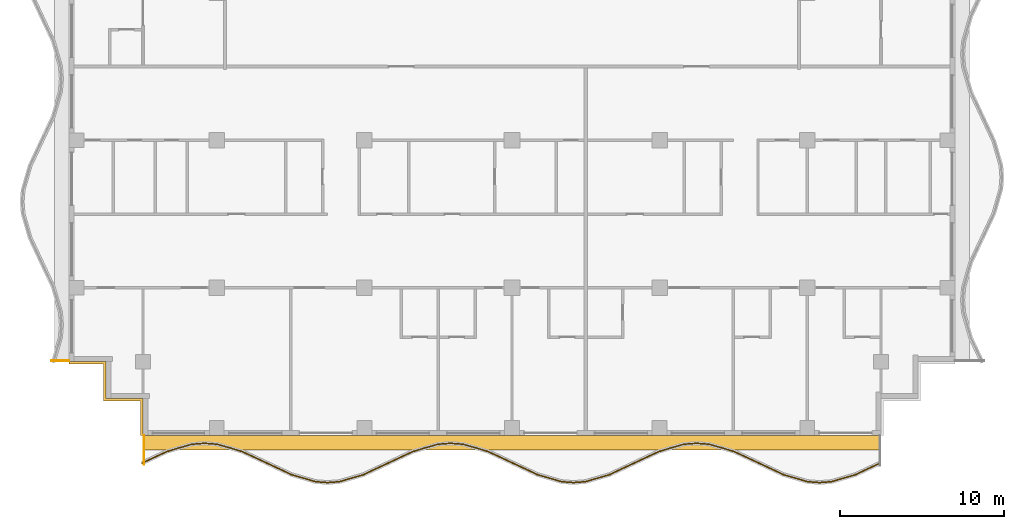
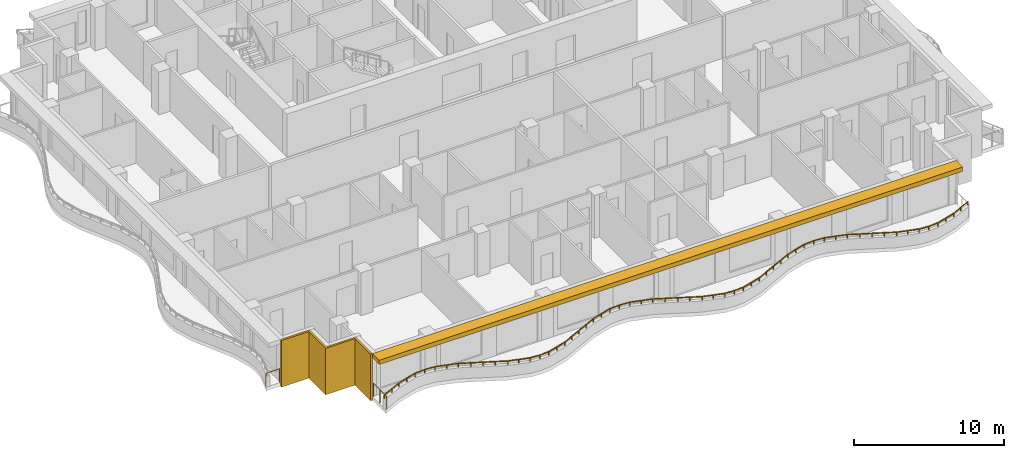
# One storey, part 8 of 11: 3 railings, 2 shading devices.
"""IFC4 building model written with IfcOpenShell, lengths in metres."""

import ifcopenshell
import ifcopenshell.guid

model = None  # the IFC model being written
_history = None  # IfcOwnerHistory: only IFC2X3 demands one
_inside = {}  # id of a spatial element -> (the spatial element, [elements in it])
_under = {}  # id of a project, library or spatial element -> (it, [spatial elements below it])
_declared = {}  # id of a project -> (the project, [libraries it declares])
_typed = {}  # id of a type object -> (the type object, [elements of that type])
_made_of = {}  # id of a material, layer set ... -> (it, [elements and type objects made of it])


def new_model(schema):
    """Start an empty IFC model of exactly this schema.

    Asked for "IFC4X3", IfcOpenShell would pick the latest addendum, in which some entities
    have other attributes; the version numbers below select the first issue.
    IFC2X3 requires an IfcOwnerHistory on every rooted entity: one is made here for all.
    """
    global model, _history
    if schema == "IFC4X3":
        model = ifcopenshell.file(schema_version=(4, 3, 0, 0))
    else:
        model = ifcopenshell.file(schema=schema)
    _inside.clear()
    _under.clear()
    _declared.clear()
    _typed.clear()
    _made_of.clear()
    _history = None
    if model.schema == "IFC2X3":
        org = make("IfcOrganization", Name="unknown")
        user = make(
            "IfcPersonAndOrganization",
            ThePerson=make("IfcPerson", FamilyName="unknown"),
            TheOrganization=org,
        )
        app = make(
            "IfcApplication",
            ApplicationDeveloper=org,
            Version="unknown",
            ApplicationFullName="unknown",
            ApplicationIdentifier="unknown",
        )
        _history = make(
            "IfcOwnerHistory",
            OwningUser=user,
            OwningApplication=app,
            ChangeAction="ADDED",
            CreationDate=0,
        )
    return model


def make(cls, **values):
    """One entity of the class cls with the attributes given. An attribute that is None is left unset."""
    return model.create_entity(
        cls, **{name: value for name, value in values.items() if value is not None}
    )


def rooted(cls, **values):
    """An entity with a GlobalId (a new one), such as an element, a storey or a relation."""
    return make(cls, GlobalId=ifcopenshell.guid.new(), OwnerHistory=_history, **values)


def si_unit(unit_type, name, prefix=None):
    """IfcSIUnit, for example si_unit("LENGTHUNIT", "METRE", prefix="MILLI")."""
    return make("IfcSIUnit", UnitType=unit_type, Prefix=prefix, Name=name)


def assignment(units):
    """IfcUnitAssignment: the units of a project."""
    return None if units is None else make("IfcUnitAssignment", Units=units)


def point(xyz):
    """IfcCartesianPoint."""
    return None if xyz is None else make("IfcCartesianPoint", Coordinates=xyz)


def direction(xyz):
    """IfcDirection."""
    return None if xyz is None else make("IfcDirection", DirectionRatios=xyz)


def frame(location, z_axis=None, x_axis=None):
    """IfcAxis2Placement3D, a coordinate frame: its origin and axes. An axis left out is left unset."""
    return make(
        "IfcAxis2Placement3D",
        Location=point(location),
        Axis=direction(z_axis),
        RefDirection=direction(x_axis),
    )


def frame_2d(location, x_axis=None):
    """IfcAxis2Placement2D, a coordinate frame in the plane: its origin and x axis."""
    return make(
        "IfcAxis2Placement2D", Location=point(location), RefDirection=direction(x_axis)
    )


def origin():
    """The frame at (0, 0, 0) with its axes left unset."""
    return frame((0.0, 0.0, 0.0))


def origin_2d():
    """The frame at (0, 0) in the plane with its x axis left unset."""
    return frame_2d((0.0, 0.0))


def place(relative_to, where):
    """IfcLocalPlacement: puts the frame where relative to a parent placement (None: the world)."""
    return make(
        "IfcLocalPlacement", PlacementRelTo=relative_to, RelativePlacement=where
    )


def context(
    kind, dimensions, precision=None, world=None, true_north=None, identifier=None
):
    """IfcGeometricRepresentationContext, for example the 3D "Model" context."""
    return make(
        "IfcGeometricRepresentationContext",
        ContextIdentifier=identifier,
        ContextType=kind,
        CoordinateSpaceDimension=dimensions,
        Precision=precision,
        WorldCoordinateSystem=world,
        TrueNorth=true_north,
    )


def subcontext(parent, identifier, kind, view, scale=None):
    """IfcGeometricRepresentationSubContext, for example "Body" below "Model"."""
    return make(
        "IfcGeometricRepresentationSubContext",
        ContextIdentifier=identifier,
        ContextType=kind,
        ParentContext=parent,
        TargetScale=scale,
        TargetView=view,
    )


def project(units=None, contexts=None):
    """IfcProject with its units and contexts."""
    return rooted(
        "IfcProject",
        Name="project",
        RepresentationContexts=contexts,
        UnitsInContext=assignment(units),
    )


def spatial(cls, under=None, at=None, **own):
    """A site, building, storey or space (cls), placed at a placement, below another one or the project."""
    s = rooted(cls, ObjectPlacement=at, **own)
    if under is not None:
        _under.setdefault(under.id(), (under, []))[1].append(s)
    return s


def polyline(points):
    """IfcPolyline through the points."""
    return make("IfcPolyline", Points=[point(p) for p in points])


def profile(cls, at=None, kind="AREA", **sizes):
    """A parametric profile (cls). Its sizes go by their IFC names, for example OverallWidth=200.0."""
    return make(cls, ProfileType=kind, Position=at, **sizes)


def rectangle(**sizes):
    """IfcRectangleProfileDef."""
    return profile("IfcRectangleProfileDef", **sizes)


def outline(outer, holes=None, kind="AREA"):
    """IfcArbitraryClosedProfileDef: a profile drawn as a closed curve; with holes, ...WithVoids."""
    if holes is None:
        return make("IfcArbitraryClosedProfileDef", ProfileType=kind, OuterCurve=outer)
    return make(
        "IfcArbitraryProfileDefWithVoids",
        ProfileType=kind,
        OuterCurve=outer,
        InnerCurves=holes,
    )


def extrude(swept, where, along, depth):
    """IfcExtrudedAreaSolid: the profile swept, set in the frame where, extruded along a direction by depth."""
    return make(
        "IfcExtrudedAreaSolid",
        SweptArea=swept,
        Position=where,
        ExtrudedDirection=direction(along),
        Depth=depth,
    )


def shape(context_of_items, identifier, shape_type, items):
    """IfcShapeRepresentation: the items that make up one representation, for example the "Body"."""
    return make(
        "IfcShapeRepresentation",
        ContextOfItems=context_of_items,
        RepresentationIdentifier=identifier,
        RepresentationType=shape_type,
        Items=items,
    )


def material(Name=None, Category=None):
    """IfcMaterial."""
    return make("IfcMaterial", Name=Name, Category=Category)


def layer(
    of_material, thickness, ventilated=None, Name=None, Category=None, Priority=None
):
    """IfcMaterialLayer: one layer of a wall or slab, of a material (None: an air gap)."""
    return make(
        "IfcMaterialLayer",
        Material=of_material,
        LayerThickness=thickness,
        IsVentilated=ventilated,
        Name=Name,
        Category=Category,
        Priority=Priority,
    )


def layer_set(layers, Name=None):
    """IfcMaterialLayerSet."""
    return make("IfcMaterialLayerSet", MaterialLayers=layers, LayerSetName=Name)


def made_of(thing, what):
    """Note that an element or type object is made of a material, layer set ...; save() writes the relation."""
    if what is not None:
        _made_of.setdefault(what.id(), (what, []))[1].append(thing)
    return thing


def type_object(cls, material=None, **own):
    """A type object (cls), such as IfcWallType, which elements share."""
    return made_of(rooted(cls, **own), material)


def element(
    cls,
    number,
    at=None,
    inside=None,
    cuts=None,
    type_object=None,
    material=None,
    context=None,
    identifier="Body",
    shape_type=None,
    held_by="IfcProductDefinitionShape",
    body=None,
    shapes=None,
    **own,
):
    """One element of the class cls, such as IfcWall. Its Tag is "e" and its number.

    at: its placement. inside: the storey or other place that contains it. cuts: it is an
    opening in that element (IfcRelVoidsElement). A single representation is given by context,
    identifier, shape_type and body (its items); several are given by shapes. held_by: the class
    of the entity that holds the representations. save() writes the other relations.
    """
    e = rooted(cls, Tag="e%d" % number, ObjectPlacement=at, **own)
    if body is not None:
        shapes = [shape(context, identifier, shape_type, body)]
    if shapes is not None:
        e.Representation = make(held_by, Representations=shapes)
    if inside is not None:
        _inside.setdefault(inside.id(), (inside, []))[1].append(e)
    if cuts is not None:
        rooted(
            "IfcRelVoidsElement", RelatingBuildingElement=cuts, RelatedOpeningElement=e
        )
    if type_object is not None:
        _typed.setdefault(type_object.id(), (type_object, []))[1].append(e)
    return made_of(e, material)


def aggregate(whole, parts):
    """IfcRelAggregates: a whole, such as a stair, and the parts it consists of."""
    return rooted("IfcRelAggregates", RelatingObject=whole, RelatedObjects=parts)


def save(model, path):
    """Write the relations noted so far, then the file.

    IfcRelAggregates (storeys below a building ...), IfcRelContainedInSpatialStructure (elements
    in a storey), IfcRelDefinesByType, IfcRelAssociatesMaterial and IfcRelDeclares: one each for
    every whole, place, type object, material and project.
    """
    for whole, parts in _under.values():
        aggregate(whole, parts)
    for where, things in _inside.values():
        rooted(
            "IfcRelContainedInSpatialStructure",
            RelatedElements=things,
            RelatingStructure=where,
        )
    for kind, things in _typed.values():
        rooted("IfcRelDefinesByType", RelatedObjects=things, RelatingType=kind)
    for what, things in _made_of.values():
        rooted("IfcRelAssociatesMaterial", RelatedObjects=things, RelatingMaterial=what)
    for by, libraries in _declared.values():
        rooted("IfcRelDeclares", RelatingContext=by, RelatedDefinitions=libraries)
    model.write(path)


model = new_model("IFC4")

# Units and contexts
model_context = context("Model", 3, precision=1e-05, world=origin(), true_north=direction((0.0, 1.0)))
body_context = subcontext(model_context, "Body", "Model", "MODEL_VIEW")
ifc_project = project(units=[si_unit("LENGTHUNIT", "METRE"), si_unit("AREAUNIT", "SQUARE_METRE"), si_unit("VOLUMEUNIT", "CUBIC_METRE"), si_unit("PLANEANGLEUNIT", "RADIAN"), si_unit("MASSUNIT", "GRAM", prefix="KILO")], contexts=[model_context])

# Site, building, storey
site_placement = place(None, origin())
site = spatial("IfcSite", under=ifc_project, at=site_placement, CompositionType="ELEMENT")
building_placement = place(site_placement, origin())
building = spatial("IfcBuilding", under=site, at=building_placement, Name="Orbiselva Terraces", CompositionType="ELEMENT")
storey_placement = place(building_placement, frame((0.0, 0.0, 257.8)))
storey = spatial("IfcBuildingStorey", under=building, at=storey_placement, Name="L65", CompositionType="ELEMENT", Elevation=257.8)

# Railings
ifc_material_1 = material(Name="Bonded two-ply safety glass balustrade, stainless steel posts", Category="steel")
railing_type_1 = type_object("IfcRailingType", Name="ENV-BALUSTRADE-1200", PredefinedType="BALUSTRADE", material=ifc_material_1)
railing_1_placement = place(storey_placement, frame((-22.553191, -24.186882, 0.9)))
element("IfcRailing", 1, at=railing_1_placement, inside=storey, type_object=railing_type_1, Name="Balcony balustrade L65 S", PredefinedType="BALUSTRADE", context=body_context, shape_type="SweptSolid", body=[
    extrude(outline(polyline([(0.028868, 0.0), (0.014434, 0.025), (-0.014434, 0.025), (-0.028868, 0.0), (-0.014434, -0.025), (0.014434, -0.025), (0.028868, 0.0)])), frame((0.0, 0.0, 0.275), z_axis=(0.904944157382, 0.425530342069, 0.0), x_axis=(-0.425530342069, 0.904944157382, 0.0)), (0.0, 0.0, 1.0), 1.667376),
    extrude(outline(polyline([(0.028868, 0.0), (0.014434, 0.025), (-0.014434, 0.025), (-0.028868, 0.0), (-0.014434, -0.025), (0.014434, -0.025), (0.028868, 0.0)])), frame((1.508882, 0.709519, 0.275), z_axis=(0.960270491427, 0.279070928786, 0.0), x_axis=(-0.279070928786, 0.960270491427, 0.0)), (0.0, 0.0, 1.0), 1.584712),
    extrude(outline(polyline([(0.028868, 0.0), (0.014434, 0.025), (-0.014434, 0.025), (-0.028868, 0.0), (-0.014434, -0.025), (0.014434, -0.025), (0.028868, 0.0)])), frame((3.030634, 1.151766, 0.275), z_axis=(0.996947796737, 0.078071061106, 0.0), x_axis=(-0.078071061106, 0.996947796737, 0.0)), (0.0, 0.0, 1.0), 0.774922),
    extrude(outline(polyline([(0.028868, 0.0), (0.014434, 0.025), (-0.014434, 0.025), (-0.028868, 0.0), (-0.014434, -0.025), (0.014434, -0.025), (0.028868, 0.0)])), frame((3.803191, 1.212265, 0.275), z_axis=(0.996947796737, -0.078071061106, 0.0), x_axis=(0.078071061106, 0.996947796737, 0.0)), (0.0, 0.0, 1.0), 0.774922),
    extrude(outline(polyline([(0.028868, 0.0), (0.014434, 0.025), (-0.014434, 0.025), (-0.028868, 0.0), (-0.014434, -0.025), (0.014434, -0.025), (0.028868, 0.0)])), frame((4.575748, 1.151766, 0.275), z_axis=(0.960270491427, -0.279070928786, 0.0), x_axis=(0.279070928786, 0.960270491427, 0.0)), (0.0, 0.0, 1.0), 1.584712),
    extrude(outline(polyline([(0.028868, 0.0), (0.014434, 0.025), (-0.014434, 0.025), (-0.028868, 0.0), (-0.014434, -0.025), (0.014434, -0.025), (0.028868, 0.0)])), frame((6.0975, 0.709519, 0.275), z_axis=(0.904944157382, -0.425530342069, 0.0), x_axis=(0.425530342069, 0.904944157382, 0.0)), (0.0, 0.0, 1.0), 1.667376),
    extrude(outline(polyline([(0.028868, 0.0), (0.014434, 0.025), (-0.014434, 0.025), (-0.028868, 0.0), (-0.014434, -0.025), (0.014434, -0.025), (0.028868, 0.0)])), frame((7.606382, 0.0, 0.275), z_axis=(0.904944359461, -0.425529912322, 0.0), x_axis=(0.425529912322, 0.904944359461, 0.0)), (0.0, 0.0, 1.0), 1.647746),
    extrude(outline(polyline([(0.028868, 0.0), (0.014434, 0.025), (-0.014434, 0.025), (-0.028868, 0.0), (-0.014434, -0.025), (0.014434, -0.025), (0.028868, 0.0)])), frame((9.0975, -0.701165, 0.275), z_axis=(0.960270317007, -0.279071528957, 0.0), x_axis=(0.279071528957, 0.960270317007, 0.0)), (0.0, 0.0, 1.0), 1.539408),
    extrude(outline(polyline([(0.028868, 0.0), (0.014434, 0.025), (-0.014434, 0.025), (-0.028868, 0.0), (-0.014434, -0.025), (0.014434, -0.025), (0.028868, 0.0)])), frame((10.575748, -1.13077, 0.275), z_axis=(0.996947916106, -0.078069536776, 0.0), x_axis=(0.078069536776, 0.996947916106, 0.0)), (0.0, 0.0, 1.0), 0.72967),
    extrude(outline(polyline([(0.028868, 0.0), (0.014434, 0.025), (-0.014434, 0.025), (-0.028868, 0.0), (-0.014434, -0.025), (0.014434, -0.025), (0.028868, 0.0)])), frame((11.303191, -1.187735, 0.275), z_axis=(0.996947916106, 0.078069536776, 0.0), x_axis=(-0.078069536776, 0.996947916106, 0.0)), (0.0, 0.0, 1.0), 0.72967),
    extrude(outline(polyline([(0.028868, 0.0), (0.014434, 0.025), (-0.014434, 0.025), (-0.028868, 0.0), (-0.014434, -0.025), (0.014434, -0.025), (0.028868, 0.0)])), frame((12.030634, -1.13077, 0.275), z_axis=(0.960270317007, 0.279071528957, 0.0), x_axis=(-0.279071528957, 0.960270317007, 0.0)), (0.0, 0.0, 1.0), 1.539408),
    extrude(outline(polyline([(0.028868, 0.0), (0.014434, 0.025), (-0.014434, 0.025), (-0.028868, 0.0), (-0.014434, -0.025), (0.014434, -0.025), (0.028868, 0.0)])), frame((13.508882, -0.701165, 0.275), z_axis=(0.904944359461, 0.425529912322, 0.0), x_axis=(-0.425529912322, 0.904944359461, 0.0)), (0.0, 0.0, 1.0), 1.647746),
    extrude(outline(polyline([(0.028868, 0.0), (0.014434, 0.025), (-0.014434, 0.025), (-0.028868, 0.0), (-0.014434, -0.025), (0.014434, -0.025), (0.028868, 0.0)])), frame((15.0, 0.0, 0.275), z_axis=(0.904944157382, 0.425530342069, 0.0), x_axis=(-0.425530342069, 0.904944157382, 0.0)), (0.0, 0.0, 1.0), 1.667376),
    extrude(outline(polyline([(0.028868, 0.0), (0.014434, 0.025), (-0.014434, 0.025), (-0.028868, 0.0), (-0.014434, -0.025), (0.014434, -0.025), (0.028868, 0.0)])), frame((16.508882, 0.709519, 0.275), z_axis=(0.960270491427, 0.279070928786, 0.0), x_axis=(-0.279070928786, 0.960270491427, 0.0)), (0.0, 0.0, 1.0), 1.584712),
    extrude(outline(polyline([(0.028868, 0.0), (0.014434, 0.025), (-0.014434, 0.025), (-0.028868, 0.0), (-0.014434, -0.025), (0.014434, -0.025), (0.028868, 0.0)])), frame((18.030634, 1.151766, 0.275), z_axis=(0.996947796737, 0.078071061106, 0.0), x_axis=(-0.078071061106, 0.996947796737, 0.0)), (0.0, 0.0, 1.0), 0.774922),
    extrude(outline(polyline([(0.028868, 0.0), (0.014434, 0.025), (-0.014434, 0.025), (-0.028868, 0.0), (-0.014434, -0.025), (0.014434, -0.025), (0.028868, 0.0)])), frame((18.803191, 1.212265, 0.275), z_axis=(0.996947796737, -0.078071061106, 0.0), x_axis=(0.078071061106, 0.996947796737, 0.0)), (0.0, 0.0, 1.0), 0.774922),
    extrude(outline(polyline([(0.028868, 0.0), (0.014434, 0.025), (-0.014434, 0.025), (-0.028868, 0.0), (-0.014434, -0.025), (0.014434, -0.025), (0.028868, 0.0)])), frame((19.575748, 1.151766, 0.275), z_axis=(0.960270491427, -0.279070928786, 0.0), x_axis=(0.279070928786, 0.960270491427, 0.0)), (0.0, 0.0, 1.0), 1.584712),
    extrude(outline(polyline([(0.028868, 0.0), (0.014434, 0.025), (-0.014434, 0.025), (-0.028868, 0.0), (-0.014434, -0.025), (0.014434, -0.025), (0.028868, 0.0)])), frame((21.0975, 0.709519, 0.275), z_axis=(0.904944157382, -0.425530342069, 0.0), x_axis=(0.425530342069, 0.904944157382, 0.0)), (0.0, 0.0, 1.0), 1.667376),
    extrude(outline(polyline([(0.028868, 0.0), (0.014434, 0.025), (-0.014434, 0.025), (-0.028868, 0.0), (-0.014434, -0.025), (0.014434, -0.025), (0.028868, 0.0)])), frame((22.606382, 0.0, 0.275), z_axis=(0.904944359461, -0.425529912322, 0.0), x_axis=(0.425529912322, 0.904944359461, 0.0)), (0.0, 0.0, 1.0), 1.647746),
    extrude(outline(polyline([(0.028868, 0.0), (0.014434, 0.025), (-0.014434, 0.025), (-0.028868, 0.0), (-0.014434, -0.025), (0.014434, -0.025), (0.028868, 0.0)])), frame((24.0975, -0.701165, 0.275), z_axis=(0.960270317007, -0.279071528957, 0.0), x_axis=(0.279071528957, 0.960270317007, 0.0)), (0.0, 0.0, 1.0), 1.539408),
    extrude(outline(polyline([(0.028868, 0.0), (0.014434, 0.025), (-0.014434, 0.025), (-0.028868, 0.0), (-0.014434, -0.025), (0.014434, -0.025), (0.028868, 0.0)])), frame((25.575748, -1.13077, 0.275), z_axis=(0.996947916106, -0.078069536776, 0.0), x_axis=(0.078069536776, 0.996947916106, 0.0)), (0.0, 0.0, 1.0), 0.72967),
    extrude(outline(polyline([(0.028868, 0.0), (0.014434, 0.025), (-0.014434, 0.025), (-0.028868, 0.0), (-0.014434, -0.025), (0.014434, -0.025), (0.028868, 0.0)])), frame((26.303191, -1.187735, 0.275), z_axis=(0.996947916106, 0.078069536776, 0.0), x_axis=(-0.078069536776, 0.996947916106, 0.0)), (0.0, 0.0, 1.0), 0.72967),
    extrude(outline(polyline([(0.028868, 0.0), (0.014434, 0.025), (-0.014434, 0.025), (-0.028868, 0.0), (-0.014434, -0.025), (0.014434, -0.025), (0.028868, 0.0)])), frame((27.030634, -1.13077, 0.275), z_axis=(0.960270317007, 0.279071528957, 0.0), x_axis=(-0.279071528957, 0.960270317007, 0.0)), (0.0, 0.0, 1.0), 1.539408),
    extrude(outline(polyline([(0.028868, 0.0), (0.014434, 0.025), (-0.014434, 0.025), (-0.028868, 0.0), (-0.014434, -0.025), (0.014434, -0.025), (0.028868, 0.0)])), frame((28.508882, -0.701165, 0.275), z_axis=(0.904944359461, 0.425529912322, 0.0), x_axis=(-0.425529912322, 0.904944359461, 0.0)), (0.0, 0.0, 1.0), 1.647746),
    extrude(outline(polyline([(0.028868, 0.0), (0.014434, 0.025), (-0.014434, 0.025), (-0.028868, 0.0), (-0.014434, -0.025), (0.014434, -0.025), (0.028868, 0.0)])), frame((30.0, 0.0, 0.275), z_axis=(0.904944157382, 0.425530342069, 0.0), x_axis=(-0.425530342069, 0.904944157382, 0.0)), (0.0, 0.0, 1.0), 1.667376),
    extrude(outline(polyline([(0.028868, 0.0), (0.014434, 0.025), (-0.014434, 0.025), (-0.028868, 0.0), (-0.014434, -0.025), (0.014434, -0.025), (0.028868, 0.0)])), frame((31.508882, 0.709519, 0.275), z_axis=(0.960270491427, 0.279070928786, 0.0), x_axis=(-0.279070928786, 0.960270491427, 0.0)), (0.0, 0.0, 1.0), 1.584712),
    extrude(outline(polyline([(0.028868, 0.0), (0.014434, 0.025), (-0.014434, 0.025), (-0.028868, 0.0), (-0.014434, -0.025), (0.014434, -0.025), (0.028868, 0.0)])), frame((33.030634, 1.151766, 0.275), z_axis=(0.996947796737, 0.078071061106, 0.0), x_axis=(-0.078071061106, 0.996947796737, 0.0)), (0.0, 0.0, 1.0), 0.774922),
    extrude(outline(polyline([(0.028868, 0.0), (0.014434, 0.025), (-0.014434, 0.025), (-0.028868, 0.0), (-0.014434, -0.025), (0.014434, -0.025), (0.028868, 0.0)])), frame((33.803191, 1.212265, 0.275), z_axis=(0.996947796737, -0.078071061106, 0.0), x_axis=(0.078071061106, 0.996947796737, 0.0)), (0.0, 0.0, 1.0), 0.774922),
    extrude(outline(polyline([(0.028868, 0.0), (0.014434, 0.025), (-0.014434, 0.025), (-0.028868, 0.0), (-0.014434, -0.025), (0.014434, -0.025), (0.028868, 0.0)])), frame((34.575748, 1.151766, 0.275), z_axis=(0.960270491427, -0.279070928786, 0.0), x_axis=(0.279070928786, 0.960270491427, 0.0)), (0.0, 0.0, 1.0), 1.584712),
    extrude(outline(polyline([(0.028868, 0.0), (0.014434, 0.025), (-0.014434, 0.025), (-0.028868, 0.0), (-0.014434, -0.025), (0.014434, -0.025), (0.028868, 0.0)])), frame((36.0975, 0.709519, 0.275), z_axis=(0.904944157382, -0.425530342069, 0.0), x_axis=(0.425530342069, 0.904944157382, 0.0)), (0.0, 0.0, 1.0), 1.667376),
    extrude(outline(polyline([(0.028868, 0.0), (0.014434, 0.025), (-0.014434, 0.025), (-0.028868, 0.0), (-0.014434, -0.025), (0.014434, -0.025), (0.028868, 0.0)])), frame((37.606382, 0.0, 0.275), z_axis=(0.904944359461, -0.425529912322, 0.0), x_axis=(0.425529912322, 0.904944359461, 0.0)), (0.0, 0.0, 1.0), 1.647746),
    extrude(outline(polyline([(0.028868, 0.0), (0.014434, 0.025), (-0.014434, 0.025), (-0.028868, 0.0), (-0.014434, -0.025), (0.014434, -0.025), (0.028868, 0.0)])), frame((39.0975, -0.701165, 0.275), z_axis=(0.960270317007, -0.279071528957, 0.0), x_axis=(0.279071528957, 0.960270317007, 0.0)), (0.0, 0.0, 1.0), 1.539408),
    extrude(outline(polyline([(0.028868, 0.0), (0.014434, 0.025), (-0.014434, 0.025), (-0.028868, 0.0), (-0.014434, -0.025), (0.014434, -0.025), (0.028868, 0.0)])), frame((40.575748, -1.13077, 0.275), z_axis=(0.996947916106, -0.078069536776, 0.0), x_axis=(0.078069536776, 0.996947916106, 0.0)), (0.0, 0.0, 1.0), 0.72967),
    extrude(outline(polyline([(0.028868, 0.0), (0.014434, 0.025), (-0.014434, 0.025), (-0.028868, 0.0), (-0.014434, -0.025), (0.014434, -0.025), (0.028868, 0.0)])), frame((41.303191, -1.187735, 0.275), z_axis=(0.996947916106, 0.078069536776, 0.0), x_axis=(-0.078069536776, 0.996947916106, 0.0)), (0.0, 0.0, 1.0), 0.72967),
    extrude(outline(polyline([(0.028868, 0.0), (0.014434, 0.025), (-0.014434, 0.025), (-0.028868, 0.0), (-0.014434, -0.025), (0.014434, -0.025), (0.028868, 0.0)])), frame((42.030634, -1.13077, 0.275), z_axis=(0.960270317007, 0.279071528957, 0.0), x_axis=(-0.279071528957, 0.960270317007, 0.0)), (0.0, 0.0, 1.0), 1.539408),
    extrude(outline(polyline([(0.028868, 0.0), (0.014434, 0.025), (-0.014434, 0.025), (-0.028868, 0.0), (-0.014434, -0.025), (0.014434, -0.025), (0.028868, 0.0)])), frame((43.508882, -0.701165, 0.275), z_axis=(0.904944359461, 0.425529912322, 0.0), x_axis=(-0.425529912322, 0.904944359461, 0.0)), (0.0, 0.0, 1.0), 1.647746),
    extrude(rectangle(XDim=0.05, YDim=0.05, at=origin_2d()), origin(), (0.0, 0.0, 1.0), 0.25),
    extrude(rectangle(XDim=0.05, YDim=0.05, at=origin_2d()), frame((0.754441, 0.35476, 0.0)), (0.0, 0.0, 1.0), 0.25),
    extrude(rectangle(XDim=0.05, YDim=0.05, at=origin_2d()), frame((1.508882, 0.709519, 0.0)), (0.0, 0.0, 1.0), 0.25),
    extrude(rectangle(XDim=0.05, YDim=0.05, at=origin_2d()), frame((2.269758, 0.930643, 0.0)), (0.0, 0.0, 1.0), 0.25),
    extrude(rectangle(XDim=0.05, YDim=0.05, at=origin_2d()), frame((3.030634, 1.151766, 0.0)), (0.0, 0.0, 1.0), 0.25),
    extrude(rectangle(XDim=0.05, YDim=0.05, at=origin_2d()), frame((3.803191, 1.212265, 0.0)), (0.0, 0.0, 1.0), 0.25),
    extrude(rectangle(XDim=0.05, YDim=0.05, at=origin_2d()), frame((4.575748, 1.151766, 0.0)), (0.0, 0.0, 1.0), 0.25),
    extrude(rectangle(XDim=0.05, YDim=0.05, at=origin_2d()), frame((5.336624, 0.930643, 0.0)), (0.0, 0.0, 1.0), 0.25),
    extrude(rectangle(XDim=0.05, YDim=0.05, at=origin_2d()), frame((6.0975, 0.709519, 0.0)), (0.0, 0.0, 1.0), 0.25),
    extrude(rectangle(XDim=0.05, YDim=0.05, at=origin_2d()), frame((6.851941, 0.35476, 0.0)), (0.0, 0.0, 1.0), 0.25),
    extrude(rectangle(XDim=0.05, YDim=0.05, at=origin_2d()), frame((7.606382, 0.0, 0.0)), (0.0, 0.0, 1.0), 0.25),
    extrude(rectangle(XDim=0.05, YDim=0.05, at=origin_2d()), frame((8.351941, -0.350582, 0.0)), (0.0, 0.0, 1.0), 0.25),
    extrude(rectangle(XDim=0.05, YDim=0.05, at=origin_2d()), frame((9.0975, -0.701165, 0.0)), (0.0, 0.0, 1.0), 0.25),
    extrude(rectangle(XDim=0.05, YDim=0.05, at=origin_2d()), frame((9.836624, -0.915967, 0.0)), (0.0, 0.0, 1.0), 0.25),
    extrude(rectangle(XDim=0.05, YDim=0.05, at=origin_2d()), frame((10.575748, -1.13077, 0.0)), (0.0, 0.0, 1.0), 0.25),
    extrude(rectangle(XDim=0.05, YDim=0.05, at=origin_2d()), frame((11.303191, -1.187735, 0.0)), (0.0, 0.0, 1.0), 0.25),
    extrude(rectangle(XDim=0.05, YDim=0.05, at=origin_2d()), frame((12.030634, -1.13077, 0.0)), (0.0, 0.0, 1.0), 0.25),
    extrude(rectangle(XDim=0.05, YDim=0.05, at=origin_2d()), frame((12.769758, -0.915967, 0.0)), (0.0, 0.0, 1.0), 0.25),
    extrude(rectangle(XDim=0.05, YDim=0.05, at=origin_2d()), frame((13.508882, -0.701165, 0.0)), (0.0, 0.0, 1.0), 0.25),
    extrude(rectangle(XDim=0.05, YDim=0.05, at=origin_2d()), frame((14.254441, -0.350582, 0.0)), (0.0, 0.0, 1.0), 0.25),
    extrude(rectangle(XDim=0.05, YDim=0.05, at=origin_2d()), frame((15.0, 0.0, 0.0)), (0.0, 0.0, 1.0), 0.25),
    extrude(rectangle(XDim=0.05, YDim=0.05, at=origin_2d()), frame((15.754441, 0.35476, 0.0)), (0.0, 0.0, 1.0), 0.25),
    extrude(rectangle(XDim=0.05, YDim=0.05, at=origin_2d()), frame((16.508882, 0.709519, 0.0)), (0.0, 0.0, 1.0), 0.25),
    extrude(rectangle(XDim=0.05, YDim=0.05, at=origin_2d()), frame((17.269758, 0.930643, 0.0)), (0.0, 0.0, 1.0), 0.25),
    extrude(rectangle(XDim=0.05, YDim=0.05, at=origin_2d()), frame((18.030634, 1.151766, 0.0)), (0.0, 0.0, 1.0), 0.25),
    extrude(rectangle(XDim=0.05, YDim=0.05, at=origin_2d()), frame((18.803191, 1.212265, 0.0)), (0.0, 0.0, 1.0), 0.25),
    extrude(rectangle(XDim=0.05, YDim=0.05, at=origin_2d()), frame((19.575748, 1.151766, 0.0)), (0.0, 0.0, 1.0), 0.25),
    extrude(rectangle(XDim=0.05, YDim=0.05, at=origin_2d()), frame((20.336624, 0.930643, 0.0)), (0.0, 0.0, 1.0), 0.25),
    extrude(rectangle(XDim=0.05, YDim=0.05, at=origin_2d()), frame((21.0975, 0.709519, 0.0)), (0.0, 0.0, 1.0), 0.25),
    extrude(rectangle(XDim=0.05, YDim=0.05, at=origin_2d()), frame((21.851941, 0.35476, 0.0)), (0.0, 0.0, 1.0), 0.25),
    extrude(rectangle(XDim=0.05, YDim=0.05, at=origin_2d()), frame((22.606382, 0.0, 0.0)), (0.0, 0.0, 1.0), 0.25),
    extrude(rectangle(XDim=0.05, YDim=0.05, at=origin_2d()), frame((23.351941, -0.350582, 0.0)), (0.0, 0.0, 1.0), 0.25),
    extrude(rectangle(XDim=0.05, YDim=0.05, at=origin_2d()), frame((24.0975, -0.701165, 0.0)), (0.0, 0.0, 1.0), 0.25),
    extrude(rectangle(XDim=0.05, YDim=0.05, at=origin_2d()), frame((24.836624, -0.915967, 0.0)), (0.0, 0.0, 1.0), 0.25),
    extrude(rectangle(XDim=0.05, YDim=0.05, at=origin_2d()), frame((25.575748, -1.13077, 0.0)), (0.0, 0.0, 1.0), 0.25),
    extrude(rectangle(XDim=0.05, YDim=0.05, at=origin_2d()), frame((26.303191, -1.187735, 0.0)), (0.0, 0.0, 1.0), 0.25),
    extrude(rectangle(XDim=0.05, YDim=0.05, at=origin_2d()), frame((27.030634, -1.13077, 0.0)), (0.0, 0.0, 1.0), 0.25),
    extrude(rectangle(XDim=0.05, YDim=0.05, at=origin_2d()), frame((27.769758, -0.915967, 0.0)), (0.0, 0.0, 1.0), 0.25),
    extrude(rectangle(XDim=0.05, YDim=0.05, at=origin_2d()), frame((28.508882, -0.701165, 0.0)), (0.0, 0.0, 1.0), 0.25),
    extrude(rectangle(XDim=0.05, YDim=0.05, at=origin_2d()), frame((29.254441, -0.350582, 0.0)), (0.0, 0.0, 1.0), 0.25),
    extrude(rectangle(XDim=0.05, YDim=0.05, at=origin_2d()), frame((30.0, 0.0, 0.0)), (0.0, 0.0, 1.0), 0.25),
    extrude(rectangle(XDim=0.05, YDim=0.05, at=origin_2d()), frame((30.754441, 0.35476, 0.0)), (0.0, 0.0, 1.0), 0.25),
    extrude(rectangle(XDim=0.05, YDim=0.05, at=origin_2d()), frame((31.508882, 0.709519, 0.0)), (0.0, 0.0, 1.0), 0.25),
    extrude(rectangle(XDim=0.05, YDim=0.05, at=origin_2d()), frame((32.269758, 0.930643, 0.0)), (0.0, 0.0, 1.0), 0.25),
    extrude(rectangle(XDim=0.05, YDim=0.05, at=origin_2d()), frame((33.030634, 1.151766, 0.0)), (0.0, 0.0, 1.0), 0.25),
    extrude(rectangle(XDim=0.05, YDim=0.05, at=origin_2d()), frame((33.803191, 1.212265, 0.0)), (0.0, 0.0, 1.0), 0.25),
    extrude(rectangle(XDim=0.05, YDim=0.05, at=origin_2d()), frame((34.575748, 1.151766, 0.0)), (0.0, 0.0, 1.0), 0.25),
    extrude(rectangle(XDim=0.05, YDim=0.05, at=origin_2d()), frame((35.336624, 0.930643, 0.0)), (0.0, 0.0, 1.0), 0.25),
    extrude(rectangle(XDim=0.05, YDim=0.05, at=origin_2d()), frame((36.0975, 0.709519, 0.0)), (0.0, 0.0, 1.0), 0.25),
    extrude(rectangle(XDim=0.05, YDim=0.05, at=origin_2d()), frame((36.851941, 0.35476, 0.0)), (0.0, 0.0, 1.0), 0.25),
    extrude(rectangle(XDim=0.05, YDim=0.05, at=origin_2d()), frame((37.606382, 0.0, 0.0)), (0.0, 0.0, 1.0), 0.25),
    extrude(rectangle(XDim=0.05, YDim=0.05, at=origin_2d()), frame((38.351941, -0.350582, 0.0)), (0.0, 0.0, 1.0), 0.25),
    extrude(rectangle(XDim=0.05, YDim=0.05, at=origin_2d()), frame((39.0975, -0.701165, 0.0)), (0.0, 0.0, 1.0), 0.25),
    extrude(rectangle(XDim=0.05, YDim=0.05, at=origin_2d()), frame((39.836624, -0.915967, 0.0)), (0.0, 0.0, 1.0), 0.25),
    extrude(rectangle(XDim=0.05, YDim=0.05, at=origin_2d()), frame((40.575748, -1.13077, 0.0)), (0.0, 0.0, 1.0), 0.25),
    extrude(rectangle(XDim=0.05, YDim=0.05, at=origin_2d()), frame((41.303191, -1.187735, 0.0)), (0.0, 0.0, 1.0), 0.25),
    extrude(rectangle(XDim=0.05, YDim=0.05, at=origin_2d()), frame((42.030634, -1.13077, 0.0)), (0.0, 0.0, 1.0), 0.25),
    extrude(rectangle(XDim=0.05, YDim=0.05, at=origin_2d()), frame((42.769758, -0.915967, 0.0)), (0.0, 0.0, 1.0), 0.25),
    extrude(rectangle(XDim=0.05, YDim=0.05, at=origin_2d()), frame((43.508882, -0.701165, 0.0)), (0.0, 0.0, 1.0), 0.25),
    extrude(rectangle(XDim=0.05, YDim=0.05, at=origin_2d()), frame((44.254441, -0.350582, 0.0)), (0.0, 0.0, 1.0), 0.25),
    extrude(rectangle(XDim=0.05, YDim=0.05, at=origin_2d()), frame((45.0, 0.0, 0.0)), (0.0, 0.0, 1.0), 0.25),
])
ifc_material_2 = material(Name="Stainless steel rail and posts", Category="steel")
railing_type_2 = type_object("IfcRailingType", Name="ENV-GUARD-1105", PredefinedType="BALUSTRADE", material=ifc_material_2)
railing_2_placement = place(storey_placement, frame((-22.44, -24.269844, 0.0)))
element("IfcRailing", 2, at=railing_2_placement, inside=storey, type_object=railing_type_2, Name="Balcony end guard L65 S", PredefinedType="BALUSTRADE", context=body_context, shape_type="SweptSolid", body=[
    extrude(outline(polyline([(0.028868, 0.0), (0.014434, 0.025), (-0.014434, 0.025), (-0.028868, 0.0), (-0.014434, -0.025), (0.014434, -0.025), (0.028868, 0.0)])), frame((0.0, 0.0, 1.08), z_axis=(0.0, 1.0, 0.0), x_axis=(-1.0, 0.0, 0.0)), (0.0, 0.0, 1.0), 1.744844),
    extrude(rectangle(XDim=0.05, YDim=0.05, at=origin_2d()), origin(), (0.0, 0.0, 1.0), 1.055),
    extrude(rectangle(XDim=0.05, YDim=0.05, at=origin_2d()), frame((0.0, 0.872422, 0.0)), (0.0, 0.0, 1.0), 1.055),
    extrude(rectangle(XDim=0.05, YDim=0.05, at=origin_2d()), frame((0.0, 1.744844, 0.0)), (0.0, 0.0, 1.0), 1.055),
])
railing_3_placement = place(storey_placement, frame((-28.070484, -17.94, 0.0)))
element("IfcRailing", 3, at=railing_3_placement, inside=storey, type_object=railing_type_2, Name="Balcony end guard L65 W", PredefinedType="BALUSTRADE", context=body_context, shape_type="SweptSolid", body=[
    extrude(outline(polyline([(0.028868, 0.0), (0.014434, 0.025), (-0.014434, 0.025), (-0.028868, 0.0), (-0.014434, -0.025), (0.014434, -0.025), (0.028868, 0.0)])), frame((0.0, 0.0, 1.08), z_axis=(1.0, 0.0, 0.0), x_axis=(0.0, 1.0, 0.0)), (0.0, 0.0, 1.0), 1.045484),
    extrude(rectangle(XDim=0.05, YDim=0.05, at=origin_2d()), origin(), (0.0, 0.0, 1.0), 1.055),
    extrude(rectangle(XDim=0.05, YDim=0.05, at=origin_2d()), frame((1.045484, 0.0, 0.0)), (0.0, 0.0, 1.0), 1.055),
])

# Shading devices
ifc_material_3 = material(Name="Terracotta louvre screen", Category="masonry")
ifc_layer_1 = layer(ifc_material_3, 0.15)
ifc_layer_set_1 = layer_set([ifc_layer_1], Name="Terracotta louvre screen")
shading_device_type_1 = type_object("IfcShadingDeviceType", Name="ENV-SCREEN-150", PredefinedType="USERDEFINED", material=ifc_layer_set_1)
shading_device_1_placement = place(storey_placement, frame((0.0, 0.0, -0.3)))
element("IfcShadingDevice", 4, at=shading_device_1_placement, inside=storey, type_object=shading_device_type_1, Name="Louvre screen L65 SW", ObjectType="SCREEN", PredefinedType="USERDEFINED", context=body_context, shape_type="SweptSolid", body=[
    extrude(outline(polyline([(-27.0, -18.15), (-24.9, -18.15), (-24.9, -20.4), (-22.65, -20.4), (-22.65, -22.5), (-22.5, -22.5), (-22.5, -20.25), (-24.75, -20.25), (-24.75, -18.0), (-27.0, -18.0), (-27.0, -18.15)])), origin(), (0.0, 0.0, 1.0), 3.8),
])
ifc_material_4 = material(Name="Terracotta baguette sunshade", Category="masonry")
ifc_layer_2 = layer(ifc_material_4, 0.35)
ifc_layer_set_2 = layer_set([ifc_layer_2], Name="Terracotta baguette sunshade")
shading_device_type_2 = type_object("IfcShadingDeviceType", Name="ENV-SUNSHADE-900x350", PredefinedType="USERDEFINED", material=ifc_layer_set_2)
shading_device_2_placement = place(storey_placement, frame((0.0, 0.0, 3.15)))
element("IfcShadingDevice", 5, at=shading_device_2_placement, inside=storey, type_object=shading_device_type_2, Name="Sunshade band L65 S", ObjectType="SUNSHADE", PredefinedType="USERDEFINED", context=body_context, shape_type="SweptSolid", body=[
    extrude(outline(polyline([(-22.5, -23.4), (22.5, -23.4), (22.5, -22.5), (-22.5, -22.5), (-22.5, -23.4)])), origin(), (0.0, 0.0, 1.0), 0.35),
])

save(model, "model.ifc")
